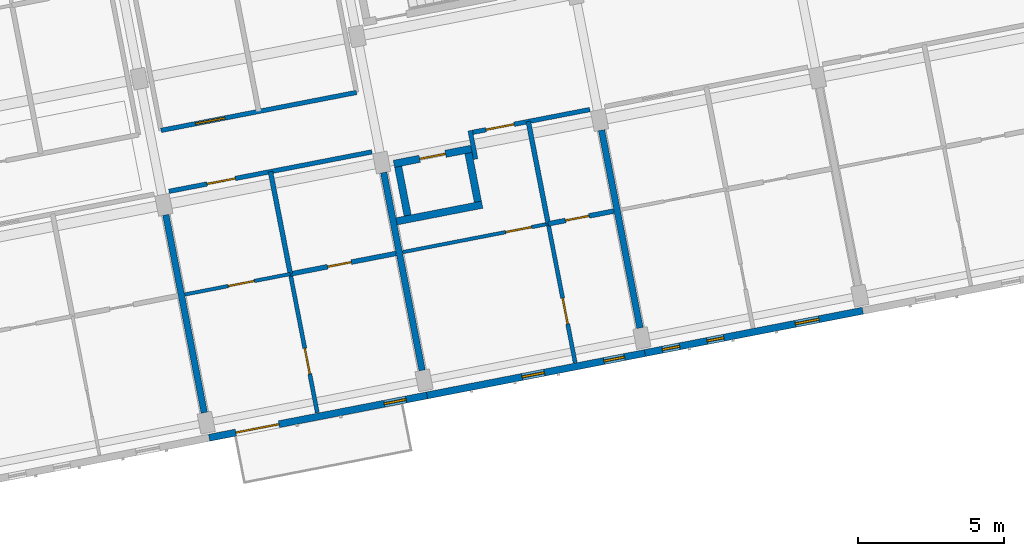
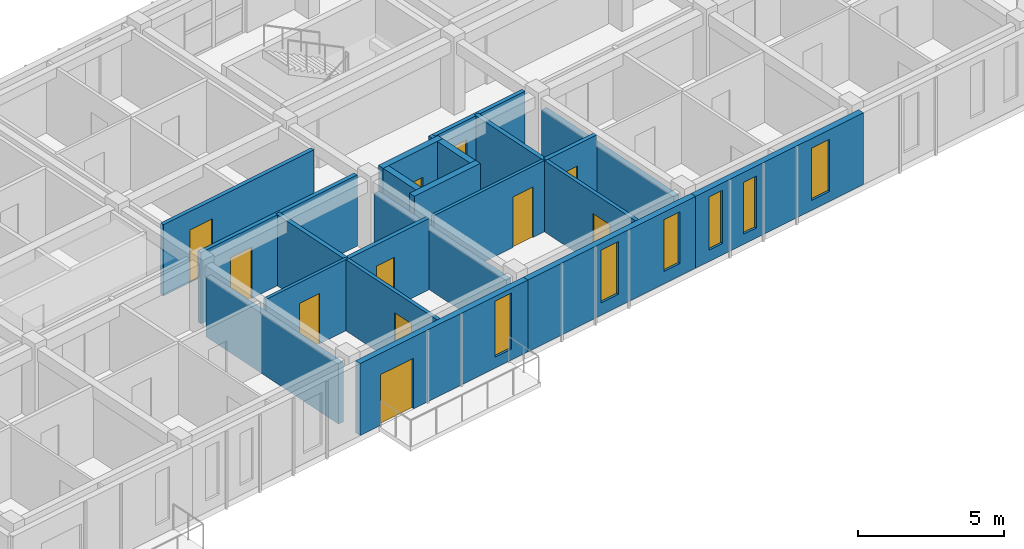
# One storey, part 88 of 127: 22 walls, 11 doors, 6 windows, 17 openings.
"""IFC4 building model written with IfcOpenShell, lengths in metres."""

from ifc_helpers import new_model, si_unit, direction, frame, frame_2d, origin, place, context, subcontext, project, spatial, rectangle, extrude, material, layer, layer_set, type_object, element, fill, save


model = new_model("IFC4")

# Units and contexts
model_context = context("Model", 3, precision=1e-05, world=origin(), true_north=direction((0.0, 1.0)))
body_context = subcontext(model_context, "Body", "Model", "MODEL_VIEW")
ifc_project = project(units=[si_unit("LENGTHUNIT", "METRE"), si_unit("AREAUNIT", "SQUARE_METRE"), si_unit("VOLUMEUNIT", "CUBIC_METRE"), si_unit("PLANEANGLEUNIT", "RADIAN"), si_unit("MASSUNIT", "GRAM", prefix="KILO")], contexts=[model_context])

# Site, building, storey
site_placement = place(None, origin())
site = spatial("IfcSite", under=ifc_project, at=site_placement, CompositionType="ELEMENT")
building_placement = place(site_placement, origin())
building = spatial("IfcBuilding", under=site, at=building_placement, Name="Kestramere Prow Commons", CompositionType="ELEMENT")
storey_placement = place(building_placement, frame((0.0, 0.0, 8.39990234375)))
storey = spatial("IfcBuildingStorey", under=building, at=storey_placement, Name="L02", CompositionType="ELEMENT", Elevation=8.39990234375)

# Wall, openings, door, window
ifc_material_1 = material(Name="Fluoropolymer Standing-Seam Zinc-Aluminium Cladding", Category="aluminium")
ifc_layer_1 = layer(ifc_material_1, 0.239990234375)
ifc_layer_set_1 = layer_set([ifc_layer_1], Name="Fluoropolymer Standing-Seam Zinc-Aluminium Cladding")
wall_type_1 = type_object("IfcWallType", Name="EW-SEAM-240", PredefinedType="SOLIDWALL", material=ifc_layer_set_1)
wall_1_placement = place(storey_placement, frame((140.88134765625, 37.835205078125, 0.0), z_axis=(0.0, 0.0, 1.0), x_axis=(-0.981626422232, -0.190812911449, 0.0)))
wall_1 = element("IfcWall", 1, at=wall_1_placement, inside=storey, type_object=wall_type_1, Name="Block D L02 South Standing-Seam Wall 3", PredefinedType="SOLIDWALL", context=body_context, shape_type="SweptSolid", body=[
    extrude(rectangle(XDim=7.60009765625, YDim=0.239990234375, at=frame_2d((3.800048828125, 0.0))), origin(), (0.0, 0.0, 1.0), 3.0),
])
opening_1_placement = place(wall_1_placement, frame((5.1689453125, 0.0, 0.0)))
opening_1 = element("IfcOpeningElement", 2, at=opening_1_placement, cuts=wall_1, Name="Opening GD-BAL-01", PredefinedType="OPENING", context=body_context, shape_type="SweptSolid", body=[
    extrude(rectangle(XDim=1.5, YDim=2.1201171875, at=frame_2d((0.75, 1.06005859375))), frame((0.0, 0.135009765625, 0.0), z_axis=(0.0, -1.0, 0.0), x_axis=(1.0, 0.0, 0.0)), (0.0, 0.0, 1.0), 0.27001953125),
])
opening_2_placement = place(wall_1_placement, frame((0.72998046875, 0.0, 0.4599609375)))
opening_2 = element("IfcOpeningElement", 3, at=opening_2_placement, cuts=wall_1, Name="Opening WN-10", PredefinedType="OPENING", context=body_context, shape_type="SweptSolid", body=[
    extrude(rectangle(XDim=0.760009765625, YDim=2.340087890625, at=frame_2d((0.3798828125, 1.169921875))), frame((0.0, 0.135009765625, 0.0), z_axis=(0.0, -1.0, 0.0), x_axis=(1.0, 0.0, 0.0)), (0.0, 0.0, 1.0), 0.27001953125),
])
ifc_material_2 = material(Name="Thermally-Broken Anodised Aluminium Glazed", Category="aluminium")
door_type_1 = type_object("IfcDoorType", Name="GD-BAL-1500", OperationType="SLIDING_TO_RIGHT", PredefinedType="DOOR", material=ifc_material_2)
door_1_placement = place(opening_1_placement, origin())
door_1 = element("IfcDoor", 4, at=door_1_placement, inside=storey, type_object=door_type_1, Name="Block D L02 Balcony Door 3", OperationType="SLIDING_TO_RIGHT", OverallHeight=2.1201171875, OverallWidth=1.5, PredefinedType="DOOR", context=body_context, shape_type="SweptSolid", body=[
    extrude(rectangle(XDim=1.5, YDim=2.1201171875, at=frame_2d((0.75, 1.06005859375))), frame((0.0, 0.02490234375, 0.0), z_axis=(0.0, -1.0, 0.0), x_axis=(1.0, 0.0, 0.0)), (0.0, 0.0, 1.0), 0.050048828125),
])
fill(opening_1, door_1)
ifc_material_3 = material(Name="Low-E Laminated Double Glazing", Category="glass")
window_type_1 = type_object("IfcWindowType", Name="WN-NAR-760A", PartitioningType="SINGLE_PANEL", PredefinedType="WINDOW", material=ifc_material_3)
window_1_placement = place(opening_2_placement, origin())
window_1 = element("IfcWindow", 5, at=window_1_placement, inside=storey, type_object=window_type_1, Name="WN-D-L02-SR-2", OverallHeight=2.340087890625, OverallWidth=0.760009765625, PartitioningType="SINGLE_PANEL", PredefinedType="WINDOW", context=body_context, shape_type="SweptSolid", body=[
    extrude(rectangle(XDim=0.760009765625, YDim=2.340087890625, at=frame_2d((0.3798828125, 1.169921875))), frame((0.0, 0.030029296875, 0.0), z_axis=(0.0, -1.0, 0.0), x_axis=(1.0, 0.0, 0.0)), (0.0, 0.0, 1.0), 0.06005859375),
])
fill(opening_2, window_1)

# Wall, openings, windows
wall_2_placement = place(storey_placement, frame((148.341552734375, 39.28515625, 0.0), z_axis=(0.0, 0.0, 1.0), x_axis=(-0.981631269434, -0.190787973596, 0.0)))
wall_2 = element("IfcWall", 6, at=wall_2_placement, inside=storey, type_object=wall_type_1, Name="Block D L02 South Standing-Seam Wall 4", PredefinedType="SOLIDWALL", context=body_context, shape_type="SweptSolid", body=[
    extrude(rectangle(XDim=7.599853515625, YDim=0.239990234375, at=frame_2d((3.7998046875, 0.0))), origin(), (0.0, 0.0, 1.0), 3.0),
])
opening_3_placement = place(wall_2_placement, frame((0.709716796875, 0.0, 0.52001953125)))
opening_3 = element("IfcOpeningElement", 7, at=opening_3_placement, cuts=wall_2, Name="Opening WN-08", PredefinedType="OPENING", context=body_context, shape_type="SweptSolid", body=[
    extrude(rectangle(XDim=0.719970703125, YDim=2.159912109375, at=frame_2d((0.35986328125, 1.080078125))), frame((0.0, 0.135009765625, 0.0), z_axis=(0.0, -1.0, 0.0), x_axis=(1.0, 0.0, 0.0)), (0.0, 0.0, 1.0), 0.27001953125),
])
opening_4_placement = place(wall_2_placement, frame((3.503662109375, 0.0, 0.52001953125)))
opening_4 = element("IfcOpeningElement", 8, at=opening_4_placement, cuts=wall_2, Name="Opening WN-11", PredefinedType="OPENING", context=body_context, shape_type="SweptSolid", body=[
    extrude(rectangle(XDim=0.780029296875, YDim=2.199951171875, at=frame_2d((0.39013671875, 1.10009765625))), frame((0.0, 0.135009765625, 0.0), z_axis=(0.0, -1.0, 0.0), x_axis=(1.0, 0.0, 0.0)), (0.0, 0.0, 1.0), 0.27001953125),
])
window_type_2 = type_object("IfcWindowType", Name="WN-NAR-720A", PartitioningType="SINGLE_PANEL", PredefinedType="WINDOW", material=ifc_material_3)
window_2_placement = place(opening_3_placement, origin())
window_2 = element("IfcWindow", 9, at=window_2_placement, inside=storey, type_object=window_type_2, Name="WN-D-L02-S-3-00", OverallHeight=2.159912109375, OverallWidth=0.719970703125, PartitioningType="SINGLE_PANEL", PredefinedType="WINDOW", context=body_context, shape_type="SweptSolid", body=[
    extrude(rectangle(XDim=0.719970703125, YDim=2.159912109375, at=frame_2d((0.35986328125, 1.080078125))), frame((0.0, 0.030029296875, 0.0), z_axis=(0.0, -1.0, 0.0), x_axis=(1.0, 0.0, 0.0)), (0.0, 0.0, 1.0), 0.06005859375),
])
fill(opening_3, window_2)
window_type_3 = type_object("IfcWindowType", Name="WN-NAR-780A", PartitioningType="SINGLE_PANEL", PredefinedType="WINDOW", material=ifc_material_3)
window_3_placement = place(opening_4_placement, origin())
window_3 = element("IfcWindow", 10, at=window_3_placement, inside=storey, type_object=window_type_3, Name="WN-D-L02-S-3-10", OverallHeight=2.199951171875, OverallWidth=0.780029296875, PartitioningType="SINGLE_PANEL", PredefinedType="WINDOW", context=body_context, shape_type="SweptSolid", body=[
    extrude(rectangle(XDim=0.780029296875, YDim=2.199951171875, at=frame_2d((0.39013671875, 1.10009765625))), frame((0.0, 0.030029296875, 0.0), z_axis=(0.0, -1.0, 0.0), x_axis=(1.0, 0.0, 0.0)), (0.0, 0.0, 1.0), 0.06005859375),
])
fill(opening_4, window_3)

wall_3_placement = place(storey_placement, frame((155.802001953125, 40.7353515625, 0.0), z_axis=(0.0, 0.0, 1.0), x_axis=(-0.981626422232, -0.190812911449, 0.0)))
wall_3 = element("IfcWall", 11, at=wall_3_placement, inside=storey, type_object=wall_type_1, Name="Block D L02 South Standing-Seam Wall 5", PredefinedType="SOLIDWALL", context=body_context, shape_type="SweptSolid", body=[
    extrude(rectangle(XDim=7.60009765625, YDim=0.239990234375, at=frame_2d((3.800048828125, 0.0))), origin(), (0.0, 0.0, 1.0), 3.0),
])
opening_5_placement = place(wall_3_placement, frame((1.530517578125, 0.0, 0.419921875)))
opening_5 = element("IfcOpeningElement", 12, at=opening_5_placement, cuts=wall_3, Name="Opening WN-13", PredefinedType="OPENING", context=body_context, shape_type="SweptSolid", body=[
    extrude(rectangle(XDim=0.820068359375, YDim=2.179931640625, at=frame_2d((0.41015625, 1.08984375))), frame((0.0, 0.135009765625, 0.0), z_axis=(0.0, -1.0, 0.0), x_axis=(1.0, 0.0, 0.0)), (0.0, 0.0, 1.0), 0.27001953125),
])
opening_6_placement = place(wall_3_placement, frame((4.847900390625, 0.0, 0.419921875)))
opening_6 = element("IfcOpeningElement", 13, at=opening_6_placement, cuts=wall_3, Name="Opening WN-01", PredefinedType="OPENING", context=body_context, shape_type="SweptSolid", body=[
    extrude(rectangle(XDim=0.580078125, YDim=2.159912109375, at=frame_2d((0.2900390625, 1.080078125))), frame((0.0, 0.135009765625, 0.0), z_axis=(0.0, -1.0, 0.0), x_axis=(1.0, 0.0, 0.0)), (0.0, 0.0, 1.0), 0.27001953125),
])
opening_7_placement = place(wall_3_placement, frame((6.389892578125, 0.0, 0.47998046875)))
opening_7 = element("IfcOpeningElement", 14, at=opening_7_placement, cuts=wall_3, Name="Opening WN-02", PredefinedType="OPENING", context=body_context, shape_type="SweptSolid", body=[
    extrude(rectangle(XDim=0.60009765625, YDim=2.219970703125, at=frame_2d((0.300048828125, 1.10986328125))), frame((0.0, 0.135009765625, 0.0), z_axis=(0.0, -1.0, 0.0), x_axis=(1.0, 0.0, 0.0)), (0.0, 0.0, 1.0), 0.27001953125),
])
window_type_4 = type_object("IfcWindowType", Name="WN-NAR-580A", PartitioningType="SINGLE_PANEL", PredefinedType="WINDOW", material=ifc_material_3)
window_4_placement = place(opening_6_placement, origin())
window_4 = element("IfcWindow", 15, at=window_4_placement, inside=storey, type_object=window_type_4, Name="WN-D-L02-S-4-10", OverallHeight=2.159912109375, OverallWidth=0.580078125, PartitioningType="SINGLE_PANEL", PredefinedType="WINDOW", context=body_context, shape_type="SweptSolid", body=[
    extrude(rectangle(XDim=0.580078125, YDim=2.159912109375, at=frame_2d((0.2900390625, 1.080078125))), frame((0.0, 0.030029296875, 0.0), z_axis=(0.0, -1.0, 0.0), x_axis=(1.0, 0.0, 0.0)), (0.0, 0.0, 1.0), 0.06005859375),
])
fill(opening_6, window_4)
window_type_5 = type_object("IfcWindowType", Name="WN-NAR-600A", PartitioningType="SINGLE_PANEL", PredefinedType="WINDOW", material=ifc_material_3)
window_5_placement = place(opening_7_placement, origin())
window_5 = element("IfcWindow", 16, at=window_5_placement, inside=storey, type_object=window_type_5, Name="WN-D-L02-S-4-11", OverallHeight=2.219970703125, OverallWidth=0.60009765625, PartitioningType="SINGLE_PANEL", PredefinedType="WINDOW", context=body_context, shape_type="SweptSolid", body=[
    extrude(rectangle(XDim=0.60009765625, YDim=2.219970703125, at=frame_2d((0.300048828125, 1.10986328125))), frame((0.0, 0.030029296875, 0.0), z_axis=(0.0, -1.0, 0.0), x_axis=(1.0, 0.0, 0.0)), (0.0, 0.0, 1.0), 0.06005859375),
])
fill(opening_7, window_5)
window_type_6 = type_object("IfcWindowType", Name="WN-NAR-820A", PartitioningType="DOUBLE_PANEL_VERTICAL", PredefinedType="WINDOW", material=ifc_material_3)
window_6_placement = place(opening_5_placement, origin())
window_6 = element("IfcWindow", 17, at=window_6_placement, inside=storey, type_object=window_type_6, Name="WN-D-L02-S-4-00", OverallHeight=2.179931640625, OverallWidth=0.820068359375, PartitioningType="SINGLE_PANEL", PredefinedType="WINDOW", context=body_context, shape_type="SweptSolid", body=[
    extrude(rectangle(XDim=0.820068359375, YDim=2.179931640625, at=frame_2d((0.41015625, 1.08984375))), frame((0.0, 0.030029296875, 0.0), z_axis=(0.0, -1.0, 0.0), x_axis=(1.0, 0.0, 0.0)), (0.0, 0.0, 1.0), 0.06005859375),
])
fill(opening_5, window_6)

# Wall, opening, door
ifc_material_4 = material(Name="Fire-Rated Calcium Silicate Wall")
ifc_layer_2 = layer(ifc_material_4, 0.155029296875)
ifc_layer_set_2 = layer_set([ifc_layer_2], Name="Fire-Rated Calcium Silicate Wall")
wall_type_2 = type_object("IfcWallType", Name="W-FIRE-150", PredefinedType="PARTITIONING", material=ifc_layer_set_2)
wall_4_placement = place(storey_placement, frame((132.045654296875, 44.822509765625, 0.0), z_axis=(0.0, 0.0, 1.0), x_axis=(0.9816234647, 0.190828125677, 0.0)))
wall_4 = element("IfcWall", 18, at=wall_4_placement, inside=storey, type_object=wall_type_2, Name="Interior Partition PW-D-L02-CS-2", PredefinedType="PARTITIONING", context=body_context, shape_type="SweptSolid", body=[
    extrude(rectangle(XDim=7.080078125, YDim=0.155029296875, at=frame_2d((3.5400390625, 0.0))), origin(), (0.0, 0.0, 1.0), 2.97021484375),
])
opening_8_placement = place(wall_4_placement, frame((1.330078125, 0.0, 0.0)))
opening_8 = element("IfcOpeningElement", 19, at=opening_8_placement, cuts=wall_4, Name="Opening ID-04", PredefinedType="OPENING", context=body_context, shape_type="SweptSolid", body=[
    extrude(rectangle(XDim=0.97998046875, YDim=2.14990234375, at=frame_2d((0.489990234375, 1.074951171875))), frame((0.0, 0.092529296875, 0.0), z_axis=(0.0, -1.0, 0.0), x_axis=(1.0, 0.0, 0.0)), (0.0, 0.0, 1.0), 0.18505859375),
])
ifc_material_5 = material(Name="Hardwood Fire-Rated Flat Entrance Door", Category="wood")
door_type_2 = type_object("IfcDoorType", Name="FD-ENT-01", OperationType="NOTDEFINED", PredefinedType="DOOR", material=ifc_material_5)
door_2_placement = place(opening_8_placement, origin())
door_2 = element("IfcDoor", 20, at=door_2_placement, inside=storey, type_object=door_type_2, Name="Interior Door DR-D-L02-ENT-S2", OperationType="SINGLE_SWING_LEFT", OverallHeight=2.14990234375, OverallWidth=0.97998046875, PredefinedType="DOOR", context=body_context, shape_type="SweptSolid", body=[
    extrude(rectangle(XDim=0.97998046875, YDim=2.14990234375, at=frame_2d((0.489990234375, 1.074951171875))), frame((0.0, 0.02490234375, 0.0), z_axis=(0.0, -1.0, 0.0), x_axis=(1.0, 0.0, 0.0)), (0.0, 0.0, 1.0), 0.050048828125),
])
fill(opening_8, door_2)

# Wall
wall_5_placement = place(storey_placement, frame((142.5478515625, 45.9267578125, 0.0), z_axis=(0.0, 0.0, 1.0), x_axis=(-0.190639805817, 0.981660055436, 0.0)))
element("IfcWall", 21, at=wall_5_placement, inside=storey, type_object=wall_type_2, Name="Interior Partition PW-D-L02-HS-CLOSER", PredefinedType="PARTITIONING", context=body_context, shape_type="SweptSolid", body=[
    extrude(rectangle(XDim=0.9951171875, YDim=0.155029296875, at=frame_2d((0.49755859375, 0.0))), origin(), (0.0, 0.0, 1.0), 2.97021484375),
])

# Wall, opening, door
wall_6_placement = place(storey_placement, frame((142.450927734375, 46.84521484375, 0.0), z_axis=(0.0, 0.0, 1.0), x_axis=(0.981636249117, 0.190762350636, 0.0)))
wall_6 = element("IfcWall", 22, at=wall_6_placement, inside=storey, type_object=wall_type_2, Name="Interior Partition PW-D-L02-CS-3", PredefinedType="PARTITIONING", context=body_context, shape_type="SweptSolid", body=[
    extrude(rectangle(XDim=4.080078125, YDim=0.155029296875, at=frame_2d((2.0400390625, 0.0))), origin(), (0.0, 0.0, 1.0), 2.97021484375),
])
opening_9_placement = place(wall_6_placement, frame((0.4580078125, 0.0, 0.0)))
opening_9 = element("IfcOpeningElement", 23, at=opening_9_placement, cuts=wall_6, Name="Opening ID-04", PredefinedType="OPENING", context=body_context, shape_type="SweptSolid", body=[
    extrude(rectangle(XDim=0.97998046875, YDim=2.14990234375, at=frame_2d((0.489990234375, 1.074951171875))), frame((0.0, 0.092529296875, 0.0), z_axis=(0.0, -1.0, 0.0), x_axis=(1.0, 0.0, 0.0)), (0.0, 0.0, 1.0), 0.18505859375),
])
door_3_placement = place(opening_9_placement, origin())
door_3 = element("IfcDoor", 24, at=door_3_placement, inside=storey, type_object=door_type_2, Name="Interior Door DR-D-L02-ENT-S3", OperationType="SINGLE_SWING_RIGHT", OverallHeight=2.14990234375, OverallWidth=0.97998046875, PredefinedType="DOOR", context=body_context, shape_type="SweptSolid", body=[
    extrude(rectangle(XDim=0.97998046875, YDim=2.14990234375, at=frame_2d((0.489990234375, 1.074951171875))), frame((0.0, 0.02490234375, 0.0), z_axis=(0.0, -1.0, 0.0), x_axis=(1.0, 0.0, 0.0)), (0.0, 0.0, 1.0), 0.050048828125),
])
fill(opening_9, door_3)

wall_7_placement = place(storey_placement, frame((131.7724609375, 46.90869140625, 0.0), z_axis=(0.0, 0.0, 1.0), x_axis=(0.981622468528, 0.190833249935, 0.0)))
wall_7 = element("IfcWall", 25, at=wall_7_placement, inside=storey, type_object=wall_type_2, Name="Interior Partition PW-D-L02-CN-2", PredefinedType="PARTITIONING", context=body_context, shape_type="SweptSolid", body=[
    extrude(rectangle(XDim=6.820068359375, YDim=0.155029296875, at=frame_2d((3.41015625, 0.0))), origin(), (0.0, 0.0, 1.0), 2.97021484375),
])
opening_10_placement = place(wall_7_placement, frame((1.205078125, 0.0, 0.0)))
opening_10 = element("IfcOpeningElement", 26, at=opening_10_placement, cuts=wall_7, Name="Opening ID-05", PredefinedType="OPENING", context=body_context, shape_type="SweptSolid", body=[
    extrude(rectangle(XDim=1.02001953125, YDim=2.199951171875, at=frame_2d((0.510009765625, 1.10009765625))), frame((0.0, 0.092529296875, 0.0), z_axis=(0.0, -1.0, 0.0), x_axis=(1.0, 0.0, 0.0)), (0.0, 0.0, 1.0), 0.18505859375),
])
door_type_3 = type_object("IfcDoorType", Name="FD-ENT-02", OperationType="NOTDEFINED", PredefinedType="DOOR", material=ifc_material_5)
door_4_placement = place(opening_10_placement, origin())
door_4 = element("IfcDoor", 27, at=door_4_placement, inside=storey, type_object=door_type_3, Name="Interior Door DR-D-L02-ENT-N2", OperationType="SINGLE_SWING_RIGHT", OverallHeight=2.199951171875, OverallWidth=1.02001953125, PredefinedType="DOOR", context=body_context, shape_type="SweptSolid", body=[
    extrude(rectangle(XDim=1.02001953125, YDim=2.199951171875, at=frame_2d((0.510009765625, 1.10009765625))), frame((0.0, 0.02490234375, 0.0), z_axis=(0.0, -1.0, 0.0), x_axis=(1.0, 0.0, 0.0)), (0.0, 0.0, 1.0), 0.050048828125),
])
fill(opening_10, door_4)

# Wall
ifc_material_6 = material(Name="Concrete C40/50", Category="concrete")
ifc_layer_3 = layer(ifc_material_6, 0.25)
ifc_layer_set_3 = layer_set([ifc_layer_3], Name="Concrete C40/50")
wall_type_3 = type_object("IfcWallType", Name="W-HS-250", PredefinedType="SHEAR", material=ifc_layer_set_3)
wall_8_placement = place(storey_placement, frame((139.8349609375, 43.794921875, 0.0), z_axis=(0.0, 0.0, 1.0), x_axis=(0.981624737535, 0.190821578075, 0.0)))
element("IfcWall", 28, at=wall_8_placement, inside=storey, type_object=wall_type_3, Name="Block D L02 Household Shelter South Wall", PredefinedType="SHEAR", context=body_context, shape_type="SweptSolid", body=[
    extrude(rectangle(XDim=2.989990234375, YDim=0.25, at=frame_2d((1.4951171875, 0.0))), origin(), (0.0, 0.0, 1.0), 3.25),
])

# Wall, opening, door
wall_9_placement = place(storey_placement, frame((139.74755859375, 45.764404296875, 0.0), z_axis=(0.0, 0.0, 1.0), x_axis=(0.981630445883, 0.190792210834, 0.0)))
wall_9 = element("IfcWall", 29, at=wall_9_placement, inside=storey, type_object=wall_type_3, Name="Block D L02 Household Shelter North Wall", PredefinedType="SHEAR", context=body_context, shape_type="SweptSolid", body=[
    extrude(rectangle(XDim=2.699951171875, YDim=0.25, at=frame_2d((1.35009765625, 0.0))), origin(), (0.0, 0.0, 1.0), 3.25),
])
opening_11_placement = place(wall_9_placement, frame((0.89990234375, 0.0, 0.0)))
opening_11 = element("IfcOpeningElement", 30, at=opening_11_placement, cuts=wall_9, Name="Opening ID-06", PredefinedType="OPENING", context=body_context, shape_type="SweptSolid", body=[
    extrude(rectangle(XDim=0.89990234375, YDim=2.050048828125, at=frame_2d((0.449951171875, 1.02490234375))), frame((0.0, 0.139892578125, 0.0), z_axis=(0.0, -1.0, 0.0), x_axis=(1.0, 0.0, 0.0)), (0.0, 0.0, 1.0), 0.280029296875),
])
ifc_material_7 = material(Name="Galvanised Steel S275JR Household Shelter Door", Category="steel")
door_type_4 = type_object("IfcDoorType", Name="FD-HS-01", OperationType="NOTDEFINED", PredefinedType="DOOR", material=ifc_material_7)
door_5_placement = place(opening_11_placement, origin())
door_5 = element("IfcDoor", 31, at=door_5_placement, inside=storey, type_object=door_type_4, Name="Block D L02 Household Shelter Blast Door", OperationType="SINGLE_SWING_RIGHT", OverallHeight=2.050048828125, OverallWidth=0.89990234375, PredefinedType="DOOR", context=body_context, shape_type="SweptSolid", body=[
    extrude(rectangle(XDim=0.89990234375, YDim=2.050048828125, at=frame_2d((0.449951171875, 1.02490234375))), frame((0.0, 0.02490234375, 0.0), z_axis=(0.0, -1.0, 0.0), x_axis=(1.0, 0.0, 0.0)), (0.0, 0.0, 1.0), 0.050048828125),
])
fill(opening_11, door_5)

# Walls
for number, where, z_axis, x_axis, name in (
    (32, (140.21826171875, 43.996826171875, 0.0), (0.0, 0.0, 1.0), (-0.190727425199, 0.981643035567, 0.0), "Block D L02 Household Shelter W Wall"),
    (33, (142.623291015625, 44.46435546875, 0.0), (0.0, 0.0, 1.0), (-0.190727425199, 0.981643035567, 0.0), "Block D L02 Household Shelter E Wall"),
):
    element("IfcWall", number, at=place(storey_placement, frame(where, z_axis=z_axis, x_axis=x_axis)), inside=storey, type_object=wall_type_3, Name=name, PredefinedType="SHEAR", context=body_context, shape_type="SweptSolid", body=[
        extrude(rectangle(XDim=1.699951171875, YDim=0.25, at=frame_2d((0.85009765625, 0.0))), origin(), (0.0, 0.0, 1.0), 3.25),
    ])

# Wall, opening, door
ifc_material_8 = material(Name="Lightweight Blockwork and Plaster", Category="masonry")
ifc_layer_4 = layer(ifc_material_8, 0.1201171875)
ifc_layer_set_4 = layer_set([ifc_layer_4], Name="Lightweight Blockwork and Plaster")
wall_type_4 = type_object("IfcWallType", Name="W-PART-120", PredefinedType="PARTITIONING", material=ifc_layer_set_4)
wall_10_placement = place(storey_placement, frame((132.58447265625, 41.29052734375, 0.0), z_axis=(0.0, 0.0, 1.0), x_axis=(0.981628834294, 0.190800502313, 0.0)))
wall_10 = element("IfcWall", 34, at=wall_10_placement, inside=storey, type_object=wall_type_4, Name="Interior Partition PW-D-L02-MIDS1-2", PredefinedType="PARTITIONING", context=body_context, shape_type="SweptSolid", body=[
    extrude(rectangle(XDim=3.68505859375, YDim=0.1201171875, at=frame_2d((1.842529296875, 0.0))), origin(), (0.0, 0.0, 1.0), 2.97021484375),
])
opening_12_placement = place(wall_10_placement, frame((1.52490234375, 0.0, 0.0)))
opening_12 = element("IfcOpeningElement", 35, at=opening_12_placement, cuts=wall_10, Name="Opening ID-08", PredefinedType="OPENING", context=body_context, shape_type="SweptSolid", body=[
    extrude(rectangle(XDim=0.89990234375, YDim=2.10009765625, at=frame_2d((0.449951171875, 1.050048828125))), frame((0.0, 0.074951171875, 0.0), z_axis=(0.0, -1.0, 0.0), x_axis=(1.0, 0.0, 0.0)), (0.0, 0.0, 1.0), 0.150146484375),
])
ifc_material_9 = material(Name="Engineered Timber Flush Door", Category="wood")
door_type_5 = type_object("IfcDoorType", Name="D-RM-01", OperationType="NOTDEFINED", PredefinedType="DOOR", material=ifc_material_9)
door_6_placement = place(opening_12_placement, origin())
door_6 = element("IfcDoor", 36, at=door_6_placement, inside=storey, type_object=door_type_5, Name="Interior Door DR-D-L02-KL-S2", OperationType="SINGLE_SWING_RIGHT", OverallHeight=2.10009765625, OverallWidth=0.89990234375, PredefinedType="DOOR", context=body_context, shape_type="SweptSolid", body=[
    extrude(rectangle(XDim=0.89990234375, YDim=2.10009765625, at=frame_2d((0.449951171875, 1.050048828125))), frame((0.0, 0.02490234375, 0.0), z_axis=(0.0, -1.0, 0.0), x_axis=(1.0, 0.0, 0.0)), (0.0, 0.0, 1.0), 0.050048828125),
])
fill(opening_12, door_6)

wall_11_placement = place(storey_placement, frame((140.044921875, 42.74072265625, 0.0), z_axis=(0.0, 0.0, 1.0), x_axis=(0.981629144122, 0.190798908307, 0.0)))
wall_11 = element("IfcWall", 37, at=wall_11_placement, inside=storey, type_object=wall_type_4, Name="Interior Partition PW-D-L02-MIDS1-3", PredefinedType="PARTITIONING", context=body_context, shape_type="SweptSolid", body=[
    extrude(rectangle(XDim=5.079833984375, YDim=0.1201171875, at=frame_2d((2.5400390625, 0.0))), origin(), (0.0, 0.0, 1.0), 2.97021484375),
])
opening_13_placement = place(wall_11_placement, frame((3.594970703125, 0.0, 0.0)))
opening_13 = element("IfcOpeningElement", 38, at=opening_13_placement, cuts=wall_11, Name="Opening ID-08", PredefinedType="OPENING", context=body_context, shape_type="SweptSolid", body=[
    extrude(rectangle(XDim=0.89990234375, YDim=2.10009765625, at=frame_2d((0.449951171875, 1.050048828125))), frame((0.0, 0.074951171875, 0.0), z_axis=(0.0, -1.0, 0.0), x_axis=(1.0, 0.0, 0.0)), (0.0, 0.0, 1.0), 0.150146484375),
])
door_7_placement = place(opening_13_placement, origin())
door_7 = element("IfcDoor", 39, at=door_7_placement, inside=storey, type_object=door_type_5, Name="Interior Door DR-D-L02-KL-S3", OperationType="SINGLE_SWING_RIGHT", OverallHeight=2.10009765625, OverallWidth=0.89990234375, PredefinedType="DOOR", context=body_context, shape_type="SweptSolid", body=[
    extrude(rectangle(XDim=0.89990234375, YDim=2.10009765625, at=frame_2d((0.449951171875, 1.050048828125))), frame((0.0, 0.02490234375, 0.0), z_axis=(0.0, -1.0, 0.0), x_axis=(1.0, 0.0, 0.0)), (0.0, 0.0, 1.0), 0.050048828125),
])
fill(opening_13, door_7)

ifc_material_10 = material(Name="Masonry Compartment Wall", Category="masonry")
ifc_layer_5 = layer(ifc_material_10, 0.139892578125)
ifc_layer_set_5 = layer_set([ifc_layer_5], Name="Masonry Compartment Wall")
wall_type_5 = type_object("IfcWallType", Name="W-PART-140", PredefinedType="PARTITIONING", material=ifc_layer_set_5)
wall_12_placement = place(storey_placement, frame((137.125244140625, 37.242431640625, 0.0), z_axis=(0.0, 0.0, 1.0), x_axis=(-0.190768400775, 0.981635073368, 0.0)))
wall_12 = element("IfcWall", 40, at=wall_12_placement, inside=storey, type_object=wall_type_5, Name="Interior Partition PW-D-L02-LB-S2", PredefinedType="PARTITIONING", context=body_context, shape_type="SweptSolid", body=[
    extrude(rectangle(XDim=4.840087890625, YDim=0.139892578125, at=frame_2d((2.419921875, 0.0))), origin(), (0.0, 0.0, 1.0), 2.97021484375),
])
opening_14_placement = place(wall_12_placement, frame((1.35009765625, 0.0, 0.0)))
opening_14 = element("IfcOpeningElement", 41, at=opening_14_placement, cuts=wall_12, Name="Opening ID-08", PredefinedType="OPENING", context=body_context, shape_type="SweptSolid", body=[
    extrude(rectangle(XDim=0.89990234375, YDim=2.10009765625, at=frame_2d((0.449951171875, 1.050048828125))), frame((0.0, 0.0849609375, 0.0), z_axis=(0.0, -1.0, 0.0), x_axis=(1.0, 0.0, 0.0)), (0.0, 0.0, 1.0), 0.169921875),
])
door_8_placement = place(opening_14_placement, origin())
door_8 = element("IfcDoor", 42, at=door_8_placement, inside=storey, type_object=door_type_5, Name="Interior Door DR-D-L02-BED-S2", OperationType="SINGLE_SWING_LEFT", OverallHeight=2.10009765625, OverallWidth=0.89990234375, PredefinedType="DOOR", context=body_context, shape_type="SweptSolid", body=[
    extrude(rectangle(XDim=0.89990234375, YDim=2.10009765625, at=frame_2d((0.449951171875, 1.050048828125))), frame((0.0, 0.02490234375, 0.0), z_axis=(0.0, -1.0, 0.0), x_axis=(1.0, 0.0, 0.0)), (0.0, 0.0, 1.0), 0.050048828125),
])
fill(opening_14, door_8)

wall_13_placement = place(storey_placement, frame((145.955078125, 38.958984375, 0.0), z_axis=(0.0, 0.0, 1.0), x_axis=(-0.190826454074, 0.98162378966, 0.0)))
wall_13 = element("IfcWall", 43, at=wall_13_placement, inside=storey, type_object=wall_type_5, Name="Interior Partition PW-D-L02-LB-S3", PredefinedType="PARTITIONING", context=body_context, shape_type="SweptSolid", body=[
    extrude(rectangle(XDim=4.83984375, YDim=0.139892578125, at=frame_2d((2.419921875, 0.0))), origin(), (0.0, 0.0, 1.0), 2.97021484375),
])
opening_15_placement = place(wall_13_placement, frame((1.35009765625, 0.0, 0.0)))
opening_15 = element("IfcOpeningElement", 44, at=opening_15_placement, cuts=wall_13, Name="Opening ID-08", PredefinedType="OPENING", context=body_context, shape_type="SweptSolid", body=[
    extrude(rectangle(XDim=0.89990234375, YDim=2.10009765625, at=frame_2d((0.449951171875, 1.050048828125))), frame((0.0, 0.0849609375, 0.0), z_axis=(0.0, -1.0, 0.0), x_axis=(1.0, 0.0, 0.0)), (0.0, 0.0, 1.0), 0.169921875),
])
door_9_placement = place(opening_15_placement, origin())
door_9 = element("IfcDoor", 45, at=door_9_placement, inside=storey, type_object=door_type_5, Name="Interior Door DR-D-L02-BED-S3", OperationType="SINGLE_SWING_RIGHT", OverallHeight=2.10009765625, OverallWidth=0.89990234375, PredefinedType="DOOR", context=body_context, shape_type="SweptSolid", body=[
    extrude(rectangle(XDim=0.89990234375, YDim=2.10009765625, at=frame_2d((0.449951171875, 1.050048828125))), frame((0.0, 0.02490234375, 0.0), z_axis=(0.0, -1.0, 0.0), x_axis=(1.0, 0.0, 0.0)), (0.0, 0.0, 1.0), 0.050048828125),
])
fill(opening_15, door_9)

ifc_material_11 = material(Name="Waterproof Sanitary Masonry Wall", Category="masonry")
ifc_layer_6 = layer(ifc_material_11, 0.1650390625)
ifc_layer_set_6 = layer_set([ifc_layer_6], Name="Waterproof Sanitary Masonry Wall")
wall_type_6 = type_object("IfcWallType", Name="W-PLUMB-150", PredefinedType="PLUMBINGWALL", material=ifc_layer_set_6)
wall_14_placement = place(storey_placement, frame((136.201904296875, 41.99365234375, 0.0), z_axis=(0.0, 0.0, 1.0), x_axis=(0.981626422232, 0.190812911449, 0.0)))
wall_14 = element("IfcWall", 46, at=wall_14_placement, inside=storey, type_object=wall_type_6, Name="Interior Partition PW-D-L02-MIDS2-2", PredefinedType="PLUMBINGWALL", context=body_context, shape_type="SweptSolid", body=[
    extrude(rectangle(XDim=3.684814453125, YDim=0.1650390625, at=frame_2d((1.84228515625, 0.0))), origin(), (0.0, 0.0, 1.0), 2.97021484375),
])
opening_16_placement = place(wall_14_placement, frame((1.300048828125, 0.0, 0.0)))
opening_16 = element("IfcOpeningElement", 47, at=opening_16_placement, cuts=wall_14, Name="Opening ID-11", PredefinedType="OPENING", context=body_context, shape_type="SweptSolid", body=[
    extrude(rectangle(XDim=0.820068359375, YDim=2.080078125, at=frame_2d((0.41015625, 1.0400390625))), frame((0.0, 0.097412109375, 0.0), z_axis=(0.0, -1.0, 0.0), x_axis=(1.0, 0.0, 0.0)), (0.0, 0.0, 1.0), 0.195068359375),
])
ifc_material_12 = material(Name="Moisture-Resistant Timber Bathroom Door", Category="wood")
door_type_6 = type_object("IfcDoorType", Name="D-BT-01", OperationType="NOTDEFINED", PredefinedType="DOOR", material=ifc_material_12)
door_10_placement = place(opening_16_placement, origin())
door_10 = element("IfcDoor", 48, at=door_10_placement, inside=storey, type_object=door_type_6, Name="Interior Door DR-D-L02-BTH-S2", OperationType="SINGLE_SWING_LEFT", OverallHeight=2.080078125, OverallWidth=0.820068359375, PredefinedType="DOOR", context=body_context, shape_type="SweptSolid", body=[
    extrude(rectangle(XDim=0.820068359375, YDim=2.080078125, at=frame_2d((0.41015625, 1.0400390625))), frame((0.0, 0.02490234375, 0.0), z_axis=(0.0, -1.0, 0.0), x_axis=(1.0, 0.0, 0.0)), (0.0, 0.0, 1.0), 0.050048828125),
])
fill(opening_16, door_10)

# Wall
wall_15_placement = place(storey_placement, frame((136.201904296875, 41.99365234375, 0.0), z_axis=(0.0, 0.0, 1.0), x_axis=(-0.190865998276, 0.981616101489, 0.0)))
element("IfcWall", 49, at=wall_15_placement, inside=storey, type_object=wall_type_6, Name="Interior Partition PW-D-L02-KB-S2", PredefinedType="PLUMBINGWALL", context=body_context, shape_type="SweptSolid", body=[
    extrude(rectangle(XDim=3.570068359375, YDim=0.1650390625, at=frame_2d((1.78515625, 0.0))), origin(), (0.0, 0.0, 1.0), 2.97021484375),
])

# Wall, opening, door
wall_16_placement = place(storey_placement, frame((145.031494140625, 43.7099609375, 0.0), z_axis=(0.0, 0.0, 1.0), x_axis=(0.981624265801, 0.190824004755, 0.0)))
wall_16 = element("IfcWall", 50, at=wall_16_placement, inside=storey, type_object=wall_type_6, Name="Interior Partition PW-D-L02-MIDS2-3", PredefinedType="PLUMBINGWALL", context=body_context, shape_type="SweptSolid", body=[
    extrude(rectangle(XDim=2.2900390625, YDim=0.1650390625, at=frame_2d((1.14501953125, 0.0))), origin(), (0.0, 0.0, 1.0), 2.97021484375),
])
opening_17_placement = place(wall_16_placement, frame((0.60205078125, 0.0, 0.0)))
opening_17 = element("IfcOpeningElement", 51, at=opening_17_placement, cuts=wall_16, Name="Opening ID-11", PredefinedType="OPENING", context=body_context, shape_type="SweptSolid", body=[
    extrude(rectangle(XDim=0.820068359375, YDim=2.080078125, at=frame_2d((0.41015625, 1.0400390625))), frame((0.0, 0.097412109375, 0.0), z_axis=(0.0, -1.0, 0.0), x_axis=(1.0, 0.0, 0.0)), (0.0, 0.0, 1.0), 0.195068359375),
])
door_11_placement = place(opening_17_placement, origin())
door_11 = element("IfcDoor", 52, at=door_11_placement, inside=storey, type_object=door_type_6, Name="Interior Door DR-D-L02-BTH-S3", OperationType="SINGLE_SWING_LEFT", OverallHeight=2.080078125, OverallWidth=0.820068359375, PredefinedType="DOOR", context=body_context, shape_type="SweptSolid", body=[
    extrude(rectangle(XDim=0.820068359375, YDim=2.080078125, at=frame_2d((0.41015625, 1.0400390625))), frame((0.0, 0.02490234375, 0.0), z_axis=(0.0, -1.0, 0.0), x_axis=(1.0, 0.0, 0.0)), (0.0, 0.0, 1.0), 0.050048828125),
])
fill(opening_17, door_11)

# Walls
wall_17_placement = place(storey_placement, frame((145.031494140625, 43.7099609375, 0.0), z_axis=(0.0, 0.0, 1.0), x_axis=(-0.190800102044, 0.981628912095, 0.0)))
element("IfcWall", 53, at=wall_17_placement, inside=storey, type_object=wall_type_6, Name="Interior Partition PW-D-L02-KB-S3", PredefinedType="PLUMBINGWALL", context=body_context, shape_type="SweptSolid", body=[
    extrude(rectangle(XDim=3.570068359375, YDim=0.1650390625, at=frame_2d((1.78515625, 0.0))), origin(), (0.0, 0.0, 1.0), 2.97021484375),
])
ifc_material_13 = material(Name="Precast concrete C40/50", Category="concrete")
ifc_layer_7 = layer(ifc_material_13, 0.219970703125)
ifc_layer_set_7 = layer_set([ifc_layer_7], Name="Precast concrete C40/50")
wall_type_7 = type_object("IfcWallType", Name="W-XWALL-220", PredefinedType="SHEAR", material=ifc_layer_set_7)
for number, where, z_axis, x_axis, name in (
    (54, (133.25390625, 37.243896484375, 0.0), (0.0, 0.0, 1.0), (-0.190819465253, 0.981625148252, 0.0), "Block D L02 Precast Cross-Wall 2"),
    (55, (140.71435546875, 38.694091796875, 0.0), (0.0, 0.0, 1.0), (-0.190819465253, 0.981625148252, 0.0), "Block D L02 Precast Cross-Wall 3"),
):
    element("IfcWall", number, at=place(storey_placement, frame(where, z_axis=z_axis, x_axis=x_axis)), inside=storey, type_object=wall_type_7, Name=name, PredefinedType="SHEAR", context=body_context, shape_type="SweptSolid", body=[
        extrude(rectangle(XDim=6.89990234375, YDim=0.219970703125, at=frame_2d((3.449951171875, 0.0))), origin(), (0.0, 0.0, 1.0), 2.5),
    ])
wall_18_placement = place(storey_placement, frame((148.1748046875, 40.14404296875, 0.0), z_axis=(0.0, 0.0, 1.0), x_axis=(-0.190812837813, 0.981626436546, 0.0)))
element("IfcWall", 56, at=wall_18_placement, inside=storey, type_object=wall_type_7, Name="Block D L02 Precast Cross-Wall 4", PredefinedType="SHEAR", context=body_context, shape_type="SweptSolid", body=[
    extrude(rectangle(XDim=6.900146484375, YDim=0.219970703125, at=frame_2d((3.4501953125, 0.0))), origin(), (0.0, 0.0, 1.0), 2.5),
])

save(model, "model.ifc")
